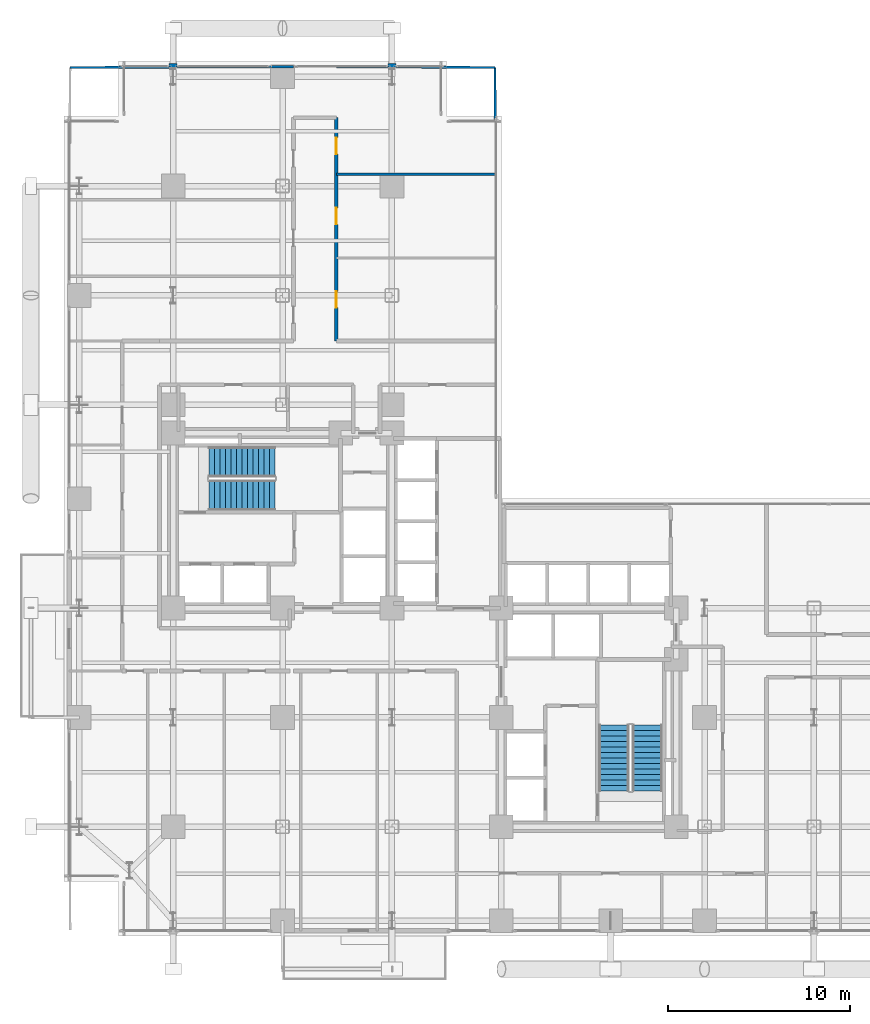
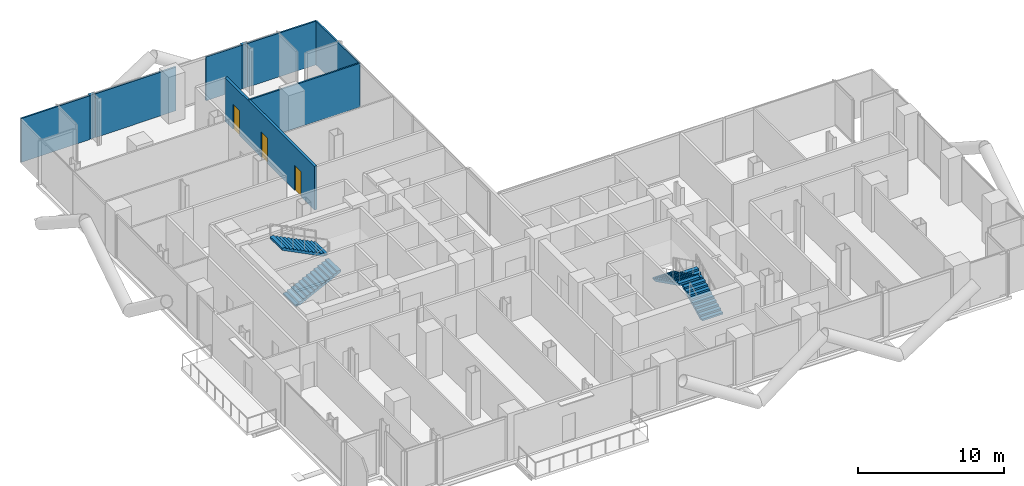
# One storey, part 23 of 25: 9 walls, 4 stair flights, 3 doors, 3 openings, 2 elements without a shape of their own.
"""IFC4 building model written with IfcOpenShell, lengths in metres."""

from ifc_helpers import new_model, si_unit, direction, frame, frame_2d, origin, place, context, subcontext, project, spatial, polyline, rectangle, outline, extrude, material, layer, layer_set, type_object, element, fill, aggregate, save


model = new_model("IFC4")

# Units and contexts
model_context = context("Model", 3, precision=1e-05, world=origin(), true_north=direction((0.0, 1.0)))
body_context = subcontext(model_context, "Body", "Model", "MODEL_VIEW")
ifc_project = project(units=[si_unit("LENGTHUNIT", "METRE"), si_unit("AREAUNIT", "SQUARE_METRE"), si_unit("VOLUMEUNIT", "CUBIC_METRE"), si_unit("PLANEANGLEUNIT", "RADIAN"), si_unit("MASSUNIT", "GRAM", prefix="KILO"), si_unit("THERMODYNAMICTEMPERATUREUNIT", "KELVIN"), si_unit("POWERUNIT", "WATT")], contexts=[model_context])

# Site, building, storey
site_placement = place(None, origin())
site = spatial("IfcSite", under=ifc_project, at=site_placement, CompositionType="ELEMENT")
building_placement = place(site_placement, origin())
building = spatial("IfcBuilding", under=site, at=building_placement, Name="Svarakhadi Broadcast Tower", CompositionType="ELEMENT")
storey_placement = place(building_placement, frame((0.0, 0.0, 48.0)))
storey = spatial("IfcBuildingStorey", under=building, at=storey_placement, Name="L10", CompositionType="ELEMENT", Elevation=48.0)

# Wall, openings, doors
ifc_material_1 = material(Name="Double-Stud Acoustic Studio Partition STC-62", Category="gypsum")
ifc_layer_1 = layer(ifc_material_1, 0.199951171875)
ifc_layer_set_1 = layer_set([ifc_layer_1], Name="Double-Stud Acoustic Studio Partition STC-62")
wall_type_1 = type_object("IfcWallType", Name="Wall_Acoust_200", PredefinedType="PARTITIONING", material=ifc_layer_set_1)
wall_1_placement = place(storey_placement, frame((14.949951171875, 44.89990234375, 0.0), z_axis=(0.0, 0.0, 1.0), x_axis=(0.0, -1.0, 0.0)))
wall_1 = element("IfcWall", 1, at=wall_1_placement, inside=storey, type_object=wall_type_1, Name="L10 Broadcast Corridor Wall", PredefinedType="PARTITIONING", context=body_context, shape_type="SweptSolid", body=[
    extrude(rectangle(XDim=12.25, YDim=0.199951171875, at=frame_2d((6.125, 0.0))), origin(), (0.0, 0.0, 1.0), 3.64990234375),
])
opening_1_placement = place(wall_1_placement, frame((9.52490234375, 0.0, 0.0)))
opening_1 = element("IfcOpeningElement", 2, at=opening_1_placement, cuts=wall_1, Name="Opening D-14", PredefinedType="OPENING", context=body_context, shape_type="SweptSolid", body=[
    extrude(rectangle(XDim=0.89990234375, YDim=2.10009765625, at=frame_2d((0.449951171875, 1.050048828125))), frame((0.0, 0.10986328125, 0.0), z_axis=(0.0, -1.0, 0.0), x_axis=(1.0, 0.0, 0.0)), (0.0, 0.0, 1.0), 0.219970703125),
])
opening_2_placement = place(wall_1_placement, frame((4.949951171875, 0.0, 0.0)))
opening_2 = element("IfcOpeningElement", 3, at=opening_2_placement, cuts=wall_1, Name="Opening D-15", PredefinedType="OPENING", context=body_context, shape_type="SweptSolid", body=[
    extrude(rectangle(XDim=0.89990234375, YDim=2.10009765625, at=frame_2d((0.449951171875, 1.050048828125))), frame((0.0, 0.10986328125, 0.0), z_axis=(0.0, -1.0, 0.0), x_axis=(1.0, 0.0, 0.0)), (0.0, 0.0, 1.0), 0.219970703125),
])
opening_3_placement = place(wall_1_placement, frame((1.10009765625, 0.0, 0.0)))
opening_3 = element("IfcOpeningElement", 4, at=opening_3_placement, cuts=wall_1, Name="Opening D-14", PredefinedType="OPENING", context=body_context, shape_type="SweptSolid", body=[
    extrude(rectangle(XDim=0.89990234375, YDim=2.10009765625, at=frame_2d((0.449951171875, 1.050048828125))), frame((0.0, 0.10986328125, 0.0), z_axis=(0.0, -1.0, 0.0), x_axis=(1.0, 0.0, 0.0)), (0.0, 0.0, 1.0), 0.219970703125),
])
ifc_material_2 = material(Name="Solid-Core Teak Veneer Acoustic Timber Leaf", Category="wood")
door_type_1 = type_object("IfcDoorType", Name="Door_Int_D14", OperationType="SINGLE_SWING_LEFT", PredefinedType="DOOR", material=ifc_material_2)
door_1_placement = place(opening_1_placement, origin())
door_1 = element("IfcDoor", 5, at=door_1_placement, inside=storey, type_object=door_type_1, Name="L10 Producer Edit Room Door", OperationType="SINGLE_SWING_LEFT", OverallHeight=2.10009765625, OverallWidth=0.89990234375, PredefinedType="DOOR", context=body_context, shape_type="SweptSolid", body=[
    extrude(rectangle(XDim=0.89990234375, YDim=2.10009765625, at=frame_2d((0.449951171875, 1.050048828125))), frame((0.0, 0.02490234375, 0.0), z_axis=(0.0, -1.0, 0.0), x_axis=(1.0, 0.0, 0.0)), (0.0, 0.0, 1.0), 0.050048828125),
])
fill(opening_1, door_1)
door_2_placement = place(opening_3_placement, origin())
door_2 = element("IfcDoor", 6, at=door_2_placement, inside=storey, type_object=door_type_1, Name="L10 Pantry Door", OperationType="SINGLE_SWING_LEFT", OverallHeight=2.10009765625, OverallWidth=0.89990234375, PredefinedType="DOOR", context=body_context, shape_type="SweptSolid", body=[
    extrude(rectangle(XDim=0.89990234375, YDim=2.10009765625, at=frame_2d((0.449951171875, 1.050048828125))), frame((0.0, 0.02490234375, 0.0), z_axis=(0.0, -1.0, 0.0), x_axis=(1.0, 0.0, 0.0)), (0.0, 0.0, 1.0), 0.050048828125),
])
fill(opening_3, door_2)
door_type_2 = type_object("IfcDoorType", Name="Door_Int_D15", OperationType="SINGLE_SWING_RIGHT", PredefinedType="DOOR", material=ifc_material_2)
door_3_placement = place(opening_2_placement, origin())
door_3 = element("IfcDoor", 7, at=door_3_placement, inside=storey, type_object=door_type_2, Name="L10 Client Lounge Door", OperationType="SINGLE_SWING_RIGHT", OverallHeight=2.10009765625, OverallWidth=0.89990234375, PredefinedType="DOOR", context=body_context, shape_type="SweptSolid", body=[
    extrude(rectangle(XDim=0.89990234375, YDim=2.10009765625, at=frame_2d((0.449951171875, 1.050048828125))), frame((0.0, 0.02490234375, 0.0), z_axis=(0.0, -1.0, 0.0), x_axis=(1.0, 0.0, 0.0)), (0.0, 0.0, 1.0), 0.050048828125),
])
fill(opening_2, door_3)

# Walls
ifc_material_3 = material(Name="Concrete C40/50 (IS 456 M50)", Category="concrete")
ifc_layer_2 = layer(ifc_material_3, 0.239990234375)
ifc_layer_set_2 = layer_set([ifc_layer_2], Name="Concrete C40/50 (IS 456 M50)")
wall_type_2 = type_object("IfcWallType", Name="Wall_Ext_240", PredefinedType="SOLIDWALL", material=ifc_layer_set_2)
for number, where, z_axis, x_axis, name in (
    (8, (5.784912109375, 47.760009765625, 0.0), (0.0, 0.0, 1.0), (1.0, 0.0, 0.0), "L10 Perimeter Bronze Spandrel Closure Wall 01"),
    (9, (17.784912109375, 47.760009765625, 0.0), (0.0, 0.0, 1.0), (1.0, 0.0, 0.0), "L10 Perimeter Bronze Spandrel Closure Wall 02"),
):
    element("IfcWall", number, at=place(storey_placement, frame(where, z_axis=z_axis, x_axis=x_axis)), inside=storey, type_object=wall_type_2, Name=name, PredefinedType="SOLIDWALL", context=body_context, shape_type="SweptSolid", body=[
        extrude(rectangle(XDim=0.43017578125, YDim=0.239990234375, at=frame_2d((0.215087890625, 0.0))), origin(), (0.0, 0.0, 1.0), 3.64990234375),
    ])
ifc_material_4 = material(Name="Fire-Rated Moisture-Resistant Gypsum Board Partition", Category="gypsum")
ifc_layer_3 = layer(ifc_material_4, 0.125)
ifc_layer_set_3 = layer_set([ifc_layer_3], Name="Fire-Rated Moisture-Resistant Gypsum Board Partition")
wall_type_3 = type_object("IfcWallType", Name="Wall_Part_125", PredefinedType="PARTITIONING", material=ifc_layer_set_3)
wall_2_placement = place(storey_placement, frame((0.35009765625, 47.64990234375, 0.0), z_axis=(0.0, 0.0, 1.0), x_axis=(0.999991644778, 0.004087832518, 0.0)))
element("IfcWall", 10, at=wall_2_placement, inside=storey, type_object=wall_type_3, Name="L10 Mastering Studio Wall", PredefinedType="PARTITIONING", context=body_context, shape_type="SweptSolid", body=[
    extrude(rectangle(XDim=5.434814453125, YDim=0.125, at=frame_2d((2.71728515625, 0.0))), origin(), (0.0, 0.0, 1.0), 3.64990234375),
])
wall_3_placement = place(storey_placement, frame((6.215087890625, 47.673828125, 0.0), z_axis=(0.0, 0.0, 1.0), x_axis=(0.999991630701, 0.004091274595, 0.0)))
element("IfcWall", 11, at=wall_3_placement, inside=storey, type_object=wall_type_3, Name="L10 Mastering Studio Wall", PredefinedType="PARTITIONING", context=body_context, shape_type="SweptSolid", body=[
    extrude(rectangle(XDim=6.385009765625, YDim=0.125, at=frame_2d((3.1923828125, 0.0))), origin(), (0.0, 0.0, 1.0), 3.64990234375),
])
wall_4_placement = place(storey_placement, frame((14.949951171875, 41.800048828125, 0.0), z_axis=(0.0, 0.0, 1.0), x_axis=(1.0, 0.0, 0.0)))
element("IfcWall", 12, at=wall_4_placement, inside=storey, type_object=wall_type_3, Name="L10 Client Lounge Wall", PredefinedType="PARTITIONING", context=body_context, shape_type="SweptSolid", body=[
    extrude(rectangle(XDim=8.75, YDim=0.125, at=frame_2d((4.375, 0.0))), origin(), (0.0, 0.0, 1.0), 3.64990234375),
])
wall_5_placement = place(storey_placement, frame((14.949951171875, 47.699951171875, 0.0), z_axis=(0.0, 0.0, 1.0), x_axis=(0.999983354582, -0.005769797172, 0.0)))
element("IfcWall", 13, at=wall_5_placement, inside=storey, type_object=wall_type_3, Name="L10 Pantry Wall", PredefinedType="PARTITIONING", context=body_context, shape_type="SweptSolid", body=[
    extrude(rectangle(XDim=2.8349609375, YDim=0.125, at=frame_2d((1.41748046875, 0.0))), origin(), (0.0, 0.0, 1.0), 3.64990234375),
])
wall_6_placement = place(storey_placement, frame((18.215087890625, 47.68115234375, 0.0), z_axis=(0.0, 0.0, 1.0), x_axis=(0.999983469354, -0.005749871258, 0.0)))
element("IfcWall", 14, at=wall_6_placement, inside=storey, type_object=wall_type_3, Name="L10 Pantry Wall", PredefinedType="PARTITIONING", context=body_context, shape_type="SweptSolid", body=[
    extrude(rectangle(XDim=5.434814453125, YDim=0.125, at=frame_2d((2.71728515625, 0.0))), origin(), (0.0, 0.0, 1.0), 3.64990234375),
])
wall_7_placement = place(storey_placement, frame((23.699951171875, 41.800048828125, 0.0), z_axis=(0.0, 0.0, 1.0), x_axis=(-0.00855525636, 0.999963403125, 0.0)))
element("IfcWall", 15, at=wall_7_placement, inside=storey, type_object=wall_type_3, Name="L10 Pantry Wall", PredefinedType="PARTITIONING", context=body_context, shape_type="SweptSolid", body=[
    extrude(rectangle(XDim=5.85009765625, YDim=0.125, at=frame_2d((2.925048828125, 0.0))), origin(), (0.0, 0.0, 1.0), 3.64990234375),
])

# Stair, stair flights
stair_type = type_object("IfcStairType", Name="Stair_Exit_Core", PredefinedType="HALF_TURN_STAIR", material=ifc_material_3)
stair_1_placement = place(storey_placement, origin())
stair_1 = element("IfcStair", 16, at=stair_1_placement, inside=storey, type_object=stair_type, Name="L10 West Core Protected Exit Stair ST-01", PredefinedType="HALF_TURN_STAIR")
stair_flight_type = type_object("IfcStairFlightType", Name="Flight_RC_1680", PredefinedType="STRAIGHT", material=ifc_material_3)
stair_flight_1_placement = place(storey_placement, frame((7.97998046875, 24.18994140625, 0.0), z_axis=(0.0, 0.0, 1.0), x_axis=(1.0, 0.0, 0.0)))
stair_flight_1 = element("IfcStairFlight", 17, at=stair_flight_1_placement, type_object=stair_flight_type, Name="ST-01 flight 1", NumberOfRisers=13, NumberOfTreads=12, PredefinedType="STRAIGHT", RiserHeight=0.15, TreadLength=0.3, context=body_context, shape_type="SweptSolid", body=[
    extrude(outline(polyline([(0.0, 0.0), (0.0, 0.14990234375), (0.300048828125, 0.14990234375), (0.300048828125, 0.300048828125), (0.60009765625, 0.300048828125), (0.60009765625, 0.449951171875), (0.89990234375, 0.449951171875), (0.89990234375, 0.60009765625), (1.199951171875, 0.60009765625), (1.199951171875, 0.75), (1.5, 0.75), (1.5, 0.89990234375), (1.800048828125, 0.89990234375), (1.800048828125, 1.050048828125), (2.10009765625, 1.050048828125), (2.10009765625, 1.199951171875), (2.39990234375, 1.199951171875), (2.39990234375, 1.35009765625), (2.699951171875, 1.35009765625), (2.699951171875, 1.5), (3.0, 1.5), (3.0, 1.64990234375), (3.300048828125, 1.64990234375), (3.300048828125, 1.800048828125), (3.60009765625, 1.800048828125), (3.60009765625, 1.949951171875), (3.60009765625, 1.63232421875), (0.335205078125, 0.0), (0.0, 0.0)])), frame((0.0, 0.830078125, 0.0), z_axis=(0.0, -1.0, 0.0), x_axis=(1.0, 0.0, 0.0)), (0.0, 0.0, 1.0), 1.659912109375),
])
stair_flight_2_placement = place(storey_placement, frame((11.580078125, 26.010009765625, 1.949951171875), z_axis=(0.0, 0.0, 1.0), x_axis=(-1.0, 0.0, 0.0)))
stair_flight_2 = element("IfcStairFlight", 18, at=stair_flight_2_placement, type_object=stair_flight_type, Name="ST-01 flight 2", NumberOfRisers=13, NumberOfTreads=12, PredefinedType="STRAIGHT", RiserHeight=0.15, TreadLength=0.3, context=body_context, shape_type="SweptSolid", body=[
    extrude(outline(polyline([(0.0, 0.0), (0.0, 0.14990234375), (0.300048828125, 0.14990234375), (0.300048828125, 0.300048828125), (0.60009765625, 0.300048828125), (0.60009765625, 0.449951171875), (0.89990234375, 0.449951171875), (0.89990234375, 0.60009765625), (1.199951171875, 0.60009765625), (1.199951171875, 0.75), (1.5, 0.75), (1.5, 0.89990234375), (1.800048828125, 0.89990234375), (1.800048828125, 1.050048828125), (2.10009765625, 1.050048828125), (2.10009765625, 1.199951171875), (2.39990234375, 1.199951171875), (2.39990234375, 1.35009765625), (2.699951171875, 1.35009765625), (2.699951171875, 1.5), (3.0, 1.5), (3.0, 1.64990234375), (3.300048828125, 1.64990234375), (3.300048828125, 1.800048828125), (3.60009765625, 1.800048828125), (3.60009765625, 1.949951171875), (3.60009765625, 1.63232421875), (0.335205078125, 0.0), (0.0, 0.0)])), frame((0.0, 0.830078125, 0.0), z_axis=(0.0, -1.0, 0.0), x_axis=(1.0, 0.0, 0.0)), (0.0, 0.0, 1.0), 1.659912109375),
])
aggregate(stair_1, [stair_flight_1, stair_flight_2])

stair_2_placement = place(storey_placement, origin())
stair_2 = element("IfcStair", 19, at=stair_2_placement, inside=storey, type_object=stair_type, Name="L10 East Core Protected Exit Stair ST-02", PredefinedType="HALF_TURN_STAIR")
stair_flight_3_placement = place(storey_placement, frame((32.010009765625, 7.97998046875, 0.0), z_axis=(0.0, 0.0, 1.0), x_axis=(0.0, 1.0, 0.0)))
stair_flight_3 = element("IfcStairFlight", 20, at=stair_flight_3_placement, type_object=stair_flight_type, Name="ST-02 flight 1", NumberOfRisers=13, NumberOfTreads=12, PredefinedType="STRAIGHT", RiserHeight=0.15, TreadLength=0.3, context=body_context, shape_type="SweptSolid", body=[
    extrude(outline(polyline([(0.0, 0.0), (0.0, 0.14990234375), (0.300048828125, 0.14990234375), (0.300048828125, 0.300048828125), (0.60009765625, 0.300048828125), (0.60009765625, 0.449951171875), (0.89990234375, 0.449951171875), (0.89990234375, 0.60009765625), (1.199951171875, 0.60009765625), (1.199951171875, 0.75), (1.5, 0.75), (1.5, 0.89990234375), (1.800048828125, 0.89990234375), (1.800048828125, 1.050048828125), (2.10009765625, 1.050048828125), (2.10009765625, 1.199951171875), (2.39990234375, 1.199951171875), (2.39990234375, 1.35009765625), (2.699951171875, 1.35009765625), (2.699951171875, 1.5), (3.0, 1.5), (3.0, 1.64990234375), (3.300048828125, 1.64990234375), (3.300048828125, 1.800048828125), (3.60009765625, 1.800048828125), (3.60009765625, 1.949951171875), (3.60009765625, 1.63232421875), (0.335205078125, 0.0), (0.0, 0.0)])), frame((0.0, 0.830078125, 0.0), z_axis=(0.0, -1.0, 0.0), x_axis=(1.0, 0.0, 0.0)), (0.0, 0.0, 1.0), 1.659912109375),
])
stair_flight_4_placement = place(storey_placement, frame((30.18994140625, 11.580078125, 1.949951171875), z_axis=(0.0, 0.0, 1.0), x_axis=(0.0, -1.0, 0.0)))
stair_flight_4 = element("IfcStairFlight", 21, at=stair_flight_4_placement, type_object=stair_flight_type, Name="ST-02 flight 2", NumberOfRisers=13, NumberOfTreads=12, PredefinedType="STRAIGHT", RiserHeight=0.15, TreadLength=0.3, context=body_context, shape_type="SweptSolid", body=[
    extrude(outline(polyline([(0.0, 0.0), (0.0, 0.14990234375), (0.300048828125, 0.14990234375), (0.300048828125, 0.300048828125), (0.60009765625, 0.300048828125), (0.60009765625, 0.449951171875), (0.89990234375, 0.449951171875), (0.89990234375, 0.60009765625), (1.199951171875, 0.60009765625), (1.199951171875, 0.75), (1.5, 0.75), (1.5, 0.89990234375), (1.800048828125, 0.89990234375), (1.800048828125, 1.050048828125), (2.10009765625, 1.050048828125), (2.10009765625, 1.199951171875), (2.39990234375, 1.199951171875), (2.39990234375, 1.35009765625), (2.699951171875, 1.35009765625), (2.699951171875, 1.5), (3.0, 1.5), (3.0, 1.64990234375), (3.300048828125, 1.64990234375), (3.300048828125, 1.800048828125), (3.60009765625, 1.800048828125), (3.60009765625, 1.949951171875), (3.60009765625, 1.63232421875), (0.335205078125, 0.0), (0.0, 0.0)])), frame((0.0, 0.830078125, 0.0), z_axis=(0.0, -1.0, 0.0), x_axis=(1.0, 0.0, 0.0)), (0.0, 0.0, 1.0), 1.659912109375),
])
aggregate(stair_2, [stair_flight_3, stair_flight_4])

save(model, "model.ifc")
